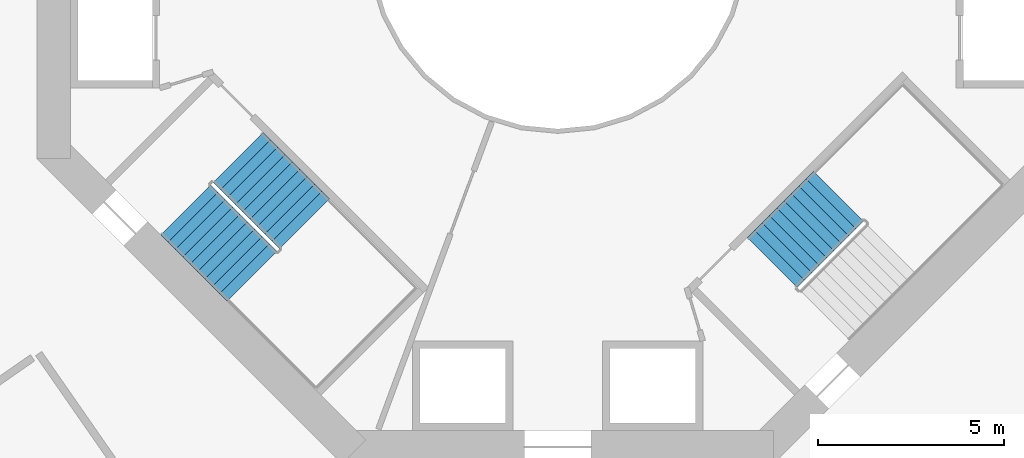
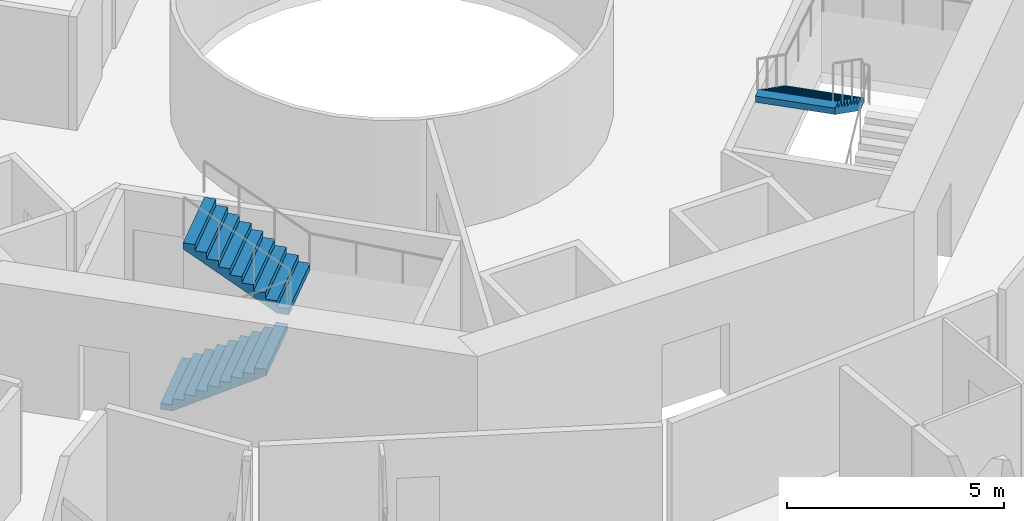
# One storey, part 24 of 26: 3 stair flights, 2 elements without a shape of their own.
"""IFC4 building model written with IfcOpenShell, lengths in metres."""

from ifc_helpers import new_model, si_unit, direction, frame, origin, place, context, subcontext, project, spatial, triangles, material, type_object, element, aggregate, save


model = new_model("IFC4")

# Units and contexts
model_context = context("Model", 3, precision=1e-05, world=origin(), true_north=direction((0.0, 1.0)))
body_context = subcontext(model_context, "Body", "Model", "MODEL_VIEW")
ifc_project = project(units=[si_unit("LENGTHUNIT", "METRE"), si_unit("AREAUNIT", "SQUARE_METRE"), si_unit("VOLUMEUNIT", "CUBIC_METRE"), si_unit("PLANEANGLEUNIT", "RADIAN"), si_unit("MASSUNIT", "GRAM", prefix="KILO")], contexts=[model_context])

# Site, building, storey
site_placement = place(None, origin())
site = spatial("IfcSite", under=ifc_project, at=site_placement, CompositionType="ELEMENT")
building_placement = place(site_placement, origin())
building = spatial("IfcBuilding", under=site, at=building_placement, Name="Verdalira Terraces Hotel", CompositionType="ELEMENT")
storey_placement = place(building_placement, frame((0.0, 0.0, 53.0)))
storey = spatial("IfcBuildingStorey", under=building, at=storey_placement, Name="L11", CompositionType="ELEMENT", Elevation=53.0)

# Stair, stair flights
ifc_material_1 = material(Name="Concrete C40", Category="concrete")
stair_type = type_object("IfcStairType", Name="Core stair 20 risers 1900 mm wide", PredefinedType="HALF_TURN_STAIR", material=ifc_material_1)
stair_1_placement = place(storey_placement, origin())
stair_1 = element("IfcStair", 1, at=stair_1_placement, inside=storey, type_object=stair_type, Name="L11 Exit stair ST2", PredefinedType="HALF_TURN_STAIR")
ifc_material_2 = material(Name="Concrete C40", Category="concrete")
stair_flight_type = type_object("IfcStairFlightType", Name="Core stair flight 20 risers 1900 mm wide", PredefinedType="STRAIGHT", material=ifc_material_2)
stair_flight_1_placement = place(storey_placement, frame((-10.005615, -7.177246, 0.0), z_axis=(0.0, 0.0, 1.0), x_axis=(0.707106781, -0.707106781, 0.0)))
stair_flight_1 = element("IfcStairFlight", 2, at=stair_flight_1_placement, type_object=stair_flight_type, Name="ST2 flight 1", NumberOfRisers=10, NumberOfTreads=9, PredefinedType="STRAIGHT", RiserHeight=0.175, TreadLength=0.28, context=body_context, shape_type="Tessellation", body=[
    triangles([(0.0, 0.949951, 0.0), (0.282715, 0.949951, 0.0), (2.52002, 0.949951, 1.398193), (0.0, -0.949951, 0.0), (0.282715, -0.949951, 0.0), (2.52002, -0.949951, 1.398193), (2.52002, 0.949951, 1.574951), (2.23999, 0.949951, 1.574951), (2.52002, -0.949951, 1.574951), (2.23999, -0.949951, 1.574951), (2.23999, 0.949951, 1.399902), (2.23999, -0.949951, 1.399902), (1.959961, 0.949951, 1.399902), (1.959961, -0.949951, 1.399902), (1.959961, 0.949951, 1.225098), (1.959961, -0.949951, 1.225098), (1.679932, 0.949951, 1.225098), (1.679932, 0.949951, 1.050049), (1.679932, -0.949951, 1.225098), (1.679932, -0.949951, 1.050049), (1.399902, 0.949951, 1.050049), (1.399902, 0.949951, 0.875), (1.399902, -0.949951, 1.050049), (1.399902, -0.949951, 0.875), (1.120117, 0.949951, 0.875), (1.120117, 0.949951, 0.699951), (1.120117, -0.949951, 0.875), (1.120117, -0.949951, 0.699951), (0.840088, 0.949951, 0.699951), (0.840088, 0.949951, 0.524902), (0.840088, -0.949951, 0.699951), (0.840088, -0.949951, 0.524902), (0.560059, 0.949951, 0.524902), (0.560059, 0.949951, 0.350098), (0.560059, -0.949951, 0.524902), (0.560059, -0.949951, 0.350098), (0.280029, 0.949951, 0.350098), (0.280029, 0.949951, 0.175049), (0.280029, -0.949951, 0.350098), (0.280029, -0.949951, 0.175049), (0.0, 0.949951, 0.175049), (0.0, -0.949951, 0.175049), (0.0, -0.890579, 0.0), (0.0, -0.890579, 0.175049), (0.0, -0.831207, 0.0), (0.0, -0.831207, 0.175049), (0.0, -0.771835, 0.0), (0.0, -0.771835, 0.175049), (0.0, -0.712463, 0.0), (0.0, -0.712463, 0.175049), (0.0, -0.653091, 0.0), (0.0, -0.653091, 0.175049), (0.0, -0.593719, 0.0), (0.0, -0.593719, 0.175049), (0.0, -0.534348, 0.0), (0.0, -0.534348, 0.175049), (0.0, -0.474976, 0.0), (0.0, -0.474976, 0.175049), (0.0, -0.415604, 0.0), (0.0, -0.415604, 0.175049), (0.0, -0.356232, 0.0), (0.0, -0.356232, 0.175049), (0.0, -0.29686, 0.0), (0.0, -0.29686, 0.175049), (0.0, -0.237488, 0.0), (0.0, -0.237488, 0.175049), (0.0, -0.178116, 0.0), (0.0, -0.178116, 0.175049), (0.0, -0.118744, 0.0), (0.0, -0.118744, 0.175049), (0.0, -0.059372, 0.0), (0.0, -0.059372, 0.175049), (0.0, 0.0, 0.0), (0.0, 0.0, 0.175049), (0.0, 0.059372, 0.0), (0.0, 0.059372, 0.175049), (0.0, 0.118744, 0.0), (0.0, 0.118744, 0.175049), (0.0, 0.178116, 0.0), (0.0, 0.178116, 0.175049), (0.0, 0.237488, 0.0), (0.0, 0.237488, 0.175049), (0.0, 0.29686, 0.0), (0.0, 0.29686, 0.175049), (0.0, 0.356232, 0.0), (0.0, 0.356232, 0.175049), (0.0, 0.415604, 0.0), (0.0, 0.415604, 0.175049), (0.0, 0.474976, 0.0), (0.0, 0.474976, 0.175049), (0.0, 0.534348, 0.0), (0.0, 0.534348, 0.175049), (0.0, 0.593719, 0.0), (0.0, 0.593719, 0.175049), (0.0, 0.653091, 0.0), (0.0, 0.653091, 0.175049), (0.0, 0.712463, 0.0), (0.0, 0.712463, 0.175049), (0.0, 0.771835, 0.0), (0.0, 0.771835, 0.175049), (0.0, 0.831207, 0.0), (0.0, 0.831207, 0.175049), (0.0, 0.890579, 0.0), (0.0, 0.890579, 0.175049), (2.52002, -0.890579, 1.574951), (2.52002, -0.831207, 1.574951), (2.52002, -0.771835, 1.574951), (2.52002, -0.712463, 1.574951), (2.52002, -0.653091, 1.574951), (2.52002, -0.593719, 1.574951), (2.52002, -0.534348, 1.574951), (2.52002, -0.474976, 1.574951), (2.52002, -0.415604, 1.574951), (2.52002, -0.356232, 1.574951), (2.52002, -0.29686, 1.574951), (2.52002, -0.237488, 1.574951), (2.52002, -0.178116, 1.574951), (2.52002, -0.118744, 1.574951), (2.52002, -0.059372, 1.574951), (2.52002, 0.0, 1.574951), (2.52002, 0.059372, 1.574951), (2.52002, 0.118744, 1.574951), (2.52002, 0.178116, 1.574951), (2.52002, 0.237488, 1.574951), (2.52002, 0.29686, 1.574951), (2.52002, 0.356232, 1.574951), (2.52002, 0.415604, 1.574951), (2.52002, 0.474976, 1.574951), (2.52002, 0.534348, 1.574951), (2.52002, 0.593719, 1.574951), (2.52002, 0.653091, 1.574951), (2.52002, 0.712463, 1.574951), (2.52002, 0.771835, 1.574951), (2.52002, 0.831207, 1.574951), (2.52002, 0.890579, 1.574951), (2.52002, -0.890579, 1.398193), (2.52002, -0.831207, 1.398193), (2.52002, -0.771835, 1.398193), (2.52002, -0.712463, 1.398193), (2.52002, -0.653091, 1.398193), (2.52002, -0.593719, 1.398193), (2.52002, -0.534348, 1.398193), (2.52002, -0.474976, 1.398193), (2.52002, -0.415604, 1.398193), (2.52002, -0.356232, 1.398193), (2.52002, -0.29686, 1.398193), (2.52002, -0.237488, 1.398193), (2.52002, -0.178116, 1.398193), (2.52002, -0.118744, 1.398193), (2.52002, -0.059372, 1.398193), (2.52002, 0.0, 1.398193), (2.52002, 0.059372, 1.398193), (2.52002, 0.118744, 1.398193), (2.52002, 0.178116, 1.398193), (2.52002, 0.237488, 1.398193), (2.52002, 0.29686, 1.398193), (2.52002, 0.356232, 1.398193), (2.52002, 0.415604, 1.398193), (2.52002, 0.474976, 1.398193), (2.52002, 0.534348, 1.398193), (2.52002, 0.593719, 1.398193), (2.52002, 0.653091, 1.398193), (2.52002, 0.712463, 1.398193), (2.52002, 0.771835, 1.398193), (2.52002, 0.831207, 1.398193), (2.52002, 0.890579, 1.398193)], [[1, 3, 2], [4, 5, 6], [3, 8, 7], [6, 9, 10], [3, 11, 8], [6, 10, 12], [3, 13, 11], [6, 12, 14], [3, 15, 13], [6, 14, 16], [15, 18, 17], [16, 19, 20], [3, 18, 15], [6, 16, 20], [18, 22, 21], [20, 23, 24], [3, 22, 18], [6, 20, 24], [22, 26, 25], [24, 27, 28], [3, 26, 22], [6, 24, 28], [26, 30, 29], [28, 31, 32], [3, 30, 26], [6, 28, 32], [1, 30, 3], [4, 6, 32], [30, 34, 33], [32, 35, 36], [34, 38, 37], [36, 39, 40], [30, 38, 34], [32, 36, 40], [1, 38, 30], [4, 32, 40], [38, 1, 41], [40, 42, 4], [4, 44, 43], [4, 42, 44], [43, 46, 45], [43, 44, 46], [45, 48, 47], [45, 46, 48], [47, 50, 49], [47, 48, 50], [49, 52, 51], [49, 50, 52], [51, 54, 53], [51, 52, 54], [53, 56, 55], [53, 54, 56], [55, 58, 57], [55, 56, 58], [57, 60, 59], [57, 58, 60], [59, 62, 61], [59, 60, 62], [61, 64, 63], [61, 62, 64], [63, 66, 65], [63, 64, 66], [65, 68, 67], [65, 66, 68], [67, 70, 69], [67, 68, 70], [69, 72, 71], [69, 70, 72], [71, 74, 73], [71, 72, 74], [73, 76, 75], [73, 74, 76], [75, 78, 77], [75, 76, 78], [77, 80, 79], [77, 78, 80], [79, 82, 81], [79, 80, 82], [81, 84, 83], [81, 82, 84], [83, 86, 85], [83, 84, 86], [85, 88, 87], [85, 86, 88], [87, 90, 89], [87, 88, 90], [89, 92, 91], [89, 90, 92], [91, 94, 93], [91, 92, 94], [93, 96, 95], [93, 94, 96], [95, 98, 97], [95, 96, 98], [97, 100, 99], [97, 98, 100], [99, 102, 101], [99, 100, 102], [101, 104, 103], [101, 102, 104], [103, 41, 1], [103, 104, 41], [42, 40, 44], [44, 40, 46], [46, 40, 48], [48, 40, 50], [50, 40, 52], [52, 40, 54], [54, 40, 56], [56, 40, 58], [58, 40, 60], [60, 40, 62], [62, 40, 64], [64, 40, 66], [66, 40, 68], [68, 40, 70], [70, 40, 72], [72, 40, 74], [74, 40, 76], [76, 40, 78], [78, 40, 80], [80, 40, 82], [82, 40, 84], [84, 40, 86], [86, 40, 88], [88, 40, 90], [90, 40, 92], [92, 40, 94], [94, 40, 96], [96, 40, 98], [98, 40, 100], [100, 40, 102], [102, 40, 104], [104, 40, 41], [41, 40, 38], [40, 37, 38], [40, 39, 37], [39, 34, 37], [39, 36, 34], [36, 33, 34], [36, 35, 33], [35, 30, 33], [35, 32, 30], [32, 29, 30], [32, 31, 29], [31, 26, 29], [31, 28, 26], [28, 25, 26], [28, 27, 25], [27, 22, 25], [27, 24, 22], [24, 21, 22], [24, 23, 21], [23, 18, 21], [23, 20, 18], [20, 17, 18], [20, 19, 17], [19, 15, 17], [19, 16, 15], [16, 13, 15], [16, 14, 13], [14, 11, 13], [14, 12, 11], [12, 8, 11], [12, 10, 8], [9, 105, 10], [105, 106, 10], [106, 107, 10], [107, 108, 10], [108, 109, 10], [109, 110, 10], [110, 111, 10], [111, 112, 10], [112, 113, 10], [113, 114, 10], [114, 115, 10], [115, 116, 10], [116, 117, 10], [117, 118, 10], [118, 119, 10], [119, 120, 10], [120, 121, 10], [121, 122, 10], [122, 123, 10], [123, 124, 10], [124, 125, 10], [125, 126, 10], [126, 127, 10], [127, 128, 10], [128, 129, 10], [129, 130, 10], [130, 131, 10], [131, 132, 10], [132, 133, 10], [133, 134, 10], [134, 135, 10], [135, 7, 10], [7, 8, 10], [9, 136, 105], [9, 6, 136], [105, 137, 106], [105, 136, 137], [106, 138, 107], [106, 137, 138], [107, 139, 108], [107, 138, 139], [108, 140, 109], [108, 139, 140], [109, 141, 110], [109, 140, 141], [110, 142, 111], [110, 141, 142], [111, 143, 112], [111, 142, 143], [112, 144, 113], [112, 143, 144], [113, 145, 114], [113, 144, 145], [114, 146, 115], [114, 145, 146], [115, 147, 116], [115, 146, 147], [116, 148, 117], [116, 147, 148], [117, 149, 118], [117, 148, 149], [118, 150, 119], [118, 149, 150], [119, 151, 120], [119, 150, 151], [120, 152, 121], [120, 151, 152], [121, 153, 122], [121, 152, 153], [122, 154, 123], [122, 153, 154], [123, 155, 124], [123, 154, 155], [124, 156, 125], [124, 155, 156], [125, 157, 126], [125, 156, 157], [126, 158, 127], [126, 157, 158], [127, 159, 128], [127, 158, 159], [128, 160, 129], [128, 159, 160], [129, 161, 130], [129, 160, 161], [130, 162, 131], [130, 161, 162], [131, 163, 132], [131, 162, 163], [132, 164, 133], [132, 163, 164], [133, 165, 134], [133, 164, 165], [134, 166, 135], [134, 165, 166], [135, 3, 7], [135, 166, 3], [6, 5, 136], [136, 5, 137], [137, 5, 138], [138, 5, 139], [139, 5, 140], [140, 5, 141], [141, 5, 142], [142, 5, 143], [143, 5, 144], [144, 5, 145], [145, 5, 146], [146, 5, 147], [147, 5, 148], [148, 5, 149], [149, 5, 150], [150, 5, 151], [151, 5, 152], [152, 5, 153], [153, 5, 154], [154, 5, 155], [155, 5, 156], [156, 5, 157], [157, 5, 158], [158, 5, 159], [159, 5, 160], [160, 5, 161], [161, 5, 162], [162, 5, 163], [163, 5, 164], [164, 5, 165], [165, 5, 166], [166, 5, 3], [3, 5, 2], [4, 43, 5], [43, 45, 5], [45, 47, 5], [47, 49, 5], [49, 51, 5], [51, 53, 5], [53, 55, 5], [55, 57, 5], [57, 59, 5], [59, 61, 5], [61, 63, 5], [63, 65, 5], [65, 67, 5], [67, 69, 5], [69, 71, 5], [71, 73, 5], [73, 75, 5], [75, 77, 5], [77, 79, 5], [79, 81, 5], [81, 83, 5], [83, 85, 5], [85, 87, 5], [87, 89, 5], [89, 91, 5], [91, 93, 5], [93, 95, 5], [95, 97, 5], [97, 99, 5], [99, 101, 5], [101, 103, 5], [103, 1, 5], [1, 2, 5]], closed=True),
])
stair_flight_2_placement = place(storey_placement, frame((-6.809326, -7.544922, 1.75), z_axis=(0.0, 0.0, 1.0), x_axis=(-0.707106781, 0.707106781, 0.0)))
stair_flight_2 = element("IfcStairFlight", 3, at=stair_flight_2_placement, type_object=stair_flight_type, Name="ST2 flight 2", NumberOfRisers=10, NumberOfTreads=9, PredefinedType="STRAIGHT", RiserHeight=0.175, TreadLength=0.28, context=body_context, shape_type="Tessellation", body=[
    triangles([(0.0, 0.949951, 0.0), (0.282715, 0.949951, 0.0), (2.52002, 0.949951, 1.398193), (0.0, -0.949951, 0.0), (0.282715, -0.949951, 0.0), (2.52002, -0.949951, 1.398193), (2.52002, 0.949951, 1.574951), (2.23999, 0.949951, 1.574951), (2.52002, -0.949951, 1.574951), (2.23999, -0.949951, 1.574951), (2.23999, 0.949951, 1.399902), (2.23999, -0.949951, 1.399902), (1.959961, 0.949951, 1.399902), (1.959961, -0.949951, 1.399902), (1.959961, 0.949951, 1.225098), (1.959961, -0.949951, 1.225098), (1.679932, 0.949951, 1.225098), (1.679932, 0.949951, 1.050049), (1.679932, -0.949951, 1.225098), (1.679932, -0.949951, 1.050049), (1.399902, 0.949951, 1.050049), (1.399902, 0.949951, 0.875), (1.399902, -0.949951, 1.050049), (1.399902, -0.949951, 0.875), (1.120117, 0.949951, 0.875), (1.120117, 0.949951, 0.699951), (1.120117, -0.949951, 0.875), (1.120117, -0.949951, 0.699951), (0.840088, 0.949951, 0.699951), (0.840088, 0.949951, 0.524902), (0.840088, -0.949951, 0.699951), (0.840088, -0.949951, 0.524902), (0.560059, 0.949951, 0.524902), (0.560059, 0.949951, 0.350098), (0.560059, -0.949951, 0.524902), (0.560059, -0.949951, 0.350098), (0.280029, 0.949951, 0.350098), (0.280029, 0.949951, 0.175049), (0.280029, -0.949951, 0.350098), (0.280029, -0.949951, 0.175049), (0.0, 0.949951, 0.175049), (0.0, -0.949951, 0.175049), (0.0, -0.890579, 0.0), (0.0, -0.890579, 0.175049), (0.0, -0.831207, 0.0), (0.0, -0.831207, 0.175049), (0.0, -0.771835, 0.0), (0.0, -0.771835, 0.175049), (0.0, -0.712463, 0.0), (0.0, -0.712463, 0.175049), (0.0, -0.653091, 0.0), (0.0, -0.653091, 0.175049), (0.0, -0.593719, 0.0), (0.0, -0.593719, 0.175049), (0.0, -0.534348, 0.0), (0.0, -0.534348, 0.175049), (0.0, -0.474976, 0.0), (0.0, -0.474976, 0.175049), (0.0, -0.415604, 0.0), (0.0, -0.415604, 0.175049), (0.0, -0.356232, 0.0), (0.0, -0.356232, 0.175049), (0.0, -0.29686, 0.0), (0.0, -0.29686, 0.175049), (0.0, -0.237488, 0.0), (0.0, -0.237488, 0.175049), (0.0, -0.178116, 0.0), (0.0, -0.178116, 0.175049), (0.0, -0.118744, 0.0), (0.0, -0.118744, 0.175049), (0.0, -0.059372, 0.0), (0.0, -0.059372, 0.175049), (0.0, 0.0, 0.0), (0.0, 0.0, 0.175049), (0.0, 0.059372, 0.0), (0.0, 0.059372, 0.175049), (0.0, 0.118744, 0.0), (0.0, 0.118744, 0.175049), (0.0, 0.178116, 0.0), (0.0, 0.178116, 0.175049), (0.0, 0.237488, 0.0), (0.0, 0.237488, 0.175049), (0.0, 0.29686, 0.0), (0.0, 0.29686, 0.175049), (0.0, 0.356232, 0.0), (0.0, 0.356232, 0.175049), (0.0, 0.415604, 0.0), (0.0, 0.415604, 0.175049), (0.0, 0.474976, 0.0), (0.0, 0.474976, 0.175049), (0.0, 0.534348, 0.0), (0.0, 0.534348, 0.175049), (0.0, 0.593719, 0.0), (0.0, 0.593719, 0.175049), (0.0, 0.653091, 0.0), (0.0, 0.653091, 0.175049), (0.0, 0.712463, 0.0), (0.0, 0.712463, 0.175049), (0.0, 0.771835, 0.0), (0.0, 0.771835, 0.175049), (0.0, 0.831207, 0.0), (0.0, 0.831207, 0.175049), (0.0, 0.890579, 0.0), (0.0, 0.890579, 0.175049), (2.52002, -0.890579, 1.574951), (2.52002, -0.831207, 1.574951), (2.52002, -0.771835, 1.574951), (2.52002, -0.712463, 1.574951), (2.52002, -0.653091, 1.574951), (2.52002, -0.593719, 1.574951), (2.52002, -0.534348, 1.574951), (2.52002, -0.474976, 1.574951), (2.52002, -0.415604, 1.574951), (2.52002, -0.356232, 1.574951), (2.52002, -0.29686, 1.574951), (2.52002, -0.237488, 1.574951), (2.52002, -0.178116, 1.574951), (2.52002, -0.118744, 1.574951), (2.52002, -0.059372, 1.574951), (2.52002, 0.0, 1.574951), (2.52002, 0.059372, 1.574951), (2.52002, 0.118744, 1.574951), (2.52002, 0.178116, 1.574951), (2.52002, 0.237488, 1.574951), (2.52002, 0.29686, 1.574951), (2.52002, 0.356232, 1.574951), (2.52002, 0.415604, 1.574951), (2.52002, 0.474976, 1.574951), (2.52002, 0.534348, 1.574951), (2.52002, 0.593719, 1.574951), (2.52002, 0.653091, 1.574951), (2.52002, 0.712463, 1.574951), (2.52002, 0.771835, 1.574951), (2.52002, 0.831207, 1.574951), (2.52002, 0.890579, 1.574951), (2.52002, -0.890579, 1.398193), (2.52002, -0.831207, 1.398193), (2.52002, -0.771835, 1.398193), (2.52002, -0.712463, 1.398193), (2.52002, -0.653091, 1.398193), (2.52002, -0.593719, 1.398193), (2.52002, -0.534348, 1.398193), (2.52002, -0.474976, 1.398193), (2.52002, -0.415604, 1.398193), (2.52002, -0.356232, 1.398193), (2.52002, -0.29686, 1.398193), (2.52002, -0.237488, 1.398193), (2.52002, -0.178116, 1.398193), (2.52002, -0.118744, 1.398193), (2.52002, -0.059372, 1.398193), (2.52002, 0.0, 1.398193), (2.52002, 0.059372, 1.398193), (2.52002, 0.118744, 1.398193), (2.52002, 0.178116, 1.398193), (2.52002, 0.237488, 1.398193), (2.52002, 0.29686, 1.398193), (2.52002, 0.356232, 1.398193), (2.52002, 0.415604, 1.398193), (2.52002, 0.474976, 1.398193), (2.52002, 0.534348, 1.398193), (2.52002, 0.593719, 1.398193), (2.52002, 0.653091, 1.398193), (2.52002, 0.712463, 1.398193), (2.52002, 0.771835, 1.398193), (2.52002, 0.831207, 1.398193), (2.52002, 0.890579, 1.398193)], [[1, 3, 2], [4, 5, 6], [3, 8, 7], [6, 9, 10], [3, 11, 8], [6, 10, 12], [3, 13, 11], [6, 12, 14], [3, 15, 13], [6, 14, 16], [15, 18, 17], [16, 19, 20], [3, 18, 15], [6, 16, 20], [18, 22, 21], [20, 23, 24], [3, 22, 18], [6, 20, 24], [22, 26, 25], [24, 27, 28], [3, 26, 22], [6, 24, 28], [26, 30, 29], [28, 31, 32], [3, 30, 26], [6, 28, 32], [1, 30, 3], [4, 6, 32], [30, 34, 33], [32, 35, 36], [34, 38, 37], [36, 39, 40], [30, 38, 34], [32, 36, 40], [1, 38, 30], [4, 32, 40], [38, 1, 41], [40, 42, 4], [4, 44, 43], [4, 42, 44], [43, 46, 45], [43, 44, 46], [45, 48, 47], [45, 46, 48], [47, 50, 49], [47, 48, 50], [49, 52, 51], [49, 50, 52], [51, 54, 53], [51, 52, 54], [53, 56, 55], [53, 54, 56], [55, 58, 57], [55, 56, 58], [57, 60, 59], [57, 58, 60], [59, 62, 61], [59, 60, 62], [61, 64, 63], [61, 62, 64], [63, 66, 65], [63, 64, 66], [65, 68, 67], [65, 66, 68], [67, 70, 69], [67, 68, 70], [69, 72, 71], [69, 70, 72], [71, 74, 73], [71, 72, 74], [73, 76, 75], [73, 74, 76], [75, 78, 77], [75, 76, 78], [77, 80, 79], [77, 78, 80], [79, 82, 81], [79, 80, 82], [81, 84, 83], [81, 82, 84], [83, 86, 85], [83, 84, 86], [85, 88, 87], [85, 86, 88], [87, 90, 89], [87, 88, 90], [89, 92, 91], [89, 90, 92], [91, 94, 93], [91, 92, 94], [93, 96, 95], [93, 94, 96], [95, 98, 97], [95, 96, 98], [97, 100, 99], [97, 98, 100], [99, 102, 101], [99, 100, 102], [101, 104, 103], [101, 102, 104], [103, 41, 1], [103, 104, 41], [42, 40, 44], [44, 40, 46], [46, 40, 48], [48, 40, 50], [50, 40, 52], [52, 40, 54], [54, 40, 56], [56, 40, 58], [58, 40, 60], [60, 40, 62], [62, 40, 64], [64, 40, 66], [66, 40, 68], [68, 40, 70], [70, 40, 72], [72, 40, 74], [74, 40, 76], [76, 40, 78], [78, 40, 80], [80, 40, 82], [82, 40, 84], [84, 40, 86], [86, 40, 88], [88, 40, 90], [90, 40, 92], [92, 40, 94], [94, 40, 96], [96, 40, 98], [98, 40, 100], [100, 40, 102], [102, 40, 104], [104, 40, 41], [41, 40, 38], [40, 37, 38], [40, 39, 37], [39, 34, 37], [39, 36, 34], [36, 33, 34], [36, 35, 33], [35, 30, 33], [35, 32, 30], [32, 29, 30], [32, 31, 29], [31, 26, 29], [31, 28, 26], [28, 25, 26], [28, 27, 25], [27, 22, 25], [27, 24, 22], [24, 21, 22], [24, 23, 21], [23, 18, 21], [23, 20, 18], [20, 17, 18], [20, 19, 17], [19, 15, 17], [19, 16, 15], [16, 13, 15], [16, 14, 13], [14, 11, 13], [14, 12, 11], [12, 8, 11], [12, 10, 8], [9, 105, 10], [105, 106, 10], [106, 107, 10], [107, 108, 10], [108, 109, 10], [109, 110, 10], [110, 111, 10], [111, 112, 10], [112, 113, 10], [113, 114, 10], [114, 115, 10], [115, 116, 10], [116, 117, 10], [117, 118, 10], [118, 119, 10], [119, 120, 10], [120, 121, 10], [121, 122, 10], [122, 123, 10], [123, 124, 10], [124, 125, 10], [125, 126, 10], [126, 127, 10], [127, 128, 10], [128, 129, 10], [129, 130, 10], [130, 131, 10], [131, 132, 10], [132, 133, 10], [133, 134, 10], [134, 135, 10], [135, 7, 10], [7, 8, 10], [9, 136, 105], [9, 6, 136], [105, 137, 106], [105, 136, 137], [106, 138, 107], [106, 137, 138], [107, 139, 108], [107, 138, 139], [108, 140, 109], [108, 139, 140], [109, 141, 110], [109, 140, 141], [110, 142, 111], [110, 141, 142], [111, 143, 112], [111, 142, 143], [112, 144, 113], [112, 143, 144], [113, 145, 114], [113, 144, 145], [114, 146, 115], [114, 145, 146], [115, 147, 116], [115, 146, 147], [116, 148, 117], [116, 147, 148], [117, 149, 118], [117, 148, 149], [118, 150, 119], [118, 149, 150], [119, 151, 120], [119, 150, 151], [120, 152, 121], [120, 151, 152], [121, 153, 122], [121, 152, 153], [122, 154, 123], [122, 153, 154], [123, 155, 124], [123, 154, 155], [124, 156, 125], [124, 155, 156], [125, 157, 126], [125, 156, 157], [126, 158, 127], [126, 157, 158], [127, 159, 128], [127, 158, 159], [128, 160, 129], [128, 159, 160], [129, 161, 130], [129, 160, 161], [130, 162, 131], [130, 161, 162], [131, 163, 132], [131, 162, 163], [132, 164, 133], [132, 163, 164], [133, 165, 134], [133, 164, 165], [134, 166, 135], [134, 165, 166], [135, 3, 7], [135, 166, 3], [6, 5, 136], [136, 5, 137], [137, 5, 138], [138, 5, 139], [139, 5, 140], [140, 5, 141], [141, 5, 142], [142, 5, 143], [143, 5, 144], [144, 5, 145], [145, 5, 146], [146, 5, 147], [147, 5, 148], [148, 5, 149], [149, 5, 150], [150, 5, 151], [151, 5, 152], [152, 5, 153], [153, 5, 154], [154, 5, 155], [155, 5, 156], [156, 5, 157], [157, 5, 158], [158, 5, 159], [159, 5, 160], [160, 5, 161], [161, 5, 162], [162, 5, 163], [163, 5, 164], [164, 5, 165], [165, 5, 166], [166, 5, 3], [3, 5, 2], [4, 43, 5], [43, 45, 5], [45, 47, 5], [47, 49, 5], [49, 51, 5], [51, 53, 5], [53, 55, 5], [55, 57, 5], [57, 59, 5], [59, 61, 5], [61, 63, 5], [63, 65, 5], [65, 67, 5], [67, 69, 5], [69, 71, 5], [71, 73, 5], [73, 75, 5], [75, 77, 5], [77, 79, 5], [79, 81, 5], [81, 83, 5], [83, 85, 5], [85, 87, 5], [87, 89, 5], [89, 91, 5], [91, 93, 5], [93, 95, 5], [95, 97, 5], [97, 99, 5], [99, 101, 5], [101, 103, 5], [103, 1, 5], [1, 2, 5]], closed=True),
])
aggregate(stair_1, [stair_flight_1, stair_flight_2])

# Stair, stair flight
stair_2_placement = place(storey_placement, origin())
stair_2 = element("IfcStair", 4, at=stair_2_placement, inside=storey, type_object=stair_type, Name="L11 Exit stair ST3", PredefinedType="HALF_TURN_STAIR")
stair_flight_3_placement = place(storey_placement, frame((7.544922, -6.809326, 1.75), z_axis=(0.0, 0.0, 1.0), x_axis=(-0.707106781, -0.707106781, 0.0)))
stair_flight_3 = element("IfcStairFlight", 5, at=stair_flight_3_placement, type_object=stair_flight_type, Name="ST3 flight 2", NumberOfRisers=10, NumberOfTreads=9, PredefinedType="STRAIGHT", RiserHeight=0.175, TreadLength=0.28, context=body_context, shape_type="Tessellation", body=[
    triangles([(0.0, 0.949951, 0.0), (0.282715, 0.949951, 0.0), (2.52002, 0.949951, 1.398193), (0.0, -0.949951, 0.0), (0.282715, -0.949951, 0.0), (2.52002, -0.949951, 1.398193), (2.52002, 0.949951, 1.574951), (2.23999, 0.949951, 1.574951), (2.52002, -0.949951, 1.574951), (2.23999, -0.949951, 1.574951), (2.23999, 0.949951, 1.399902), (2.23999, -0.949951, 1.399902), (1.959961, 0.949951, 1.399902), (1.959961, -0.949951, 1.399902), (1.959961, 0.949951, 1.225098), (1.959961, -0.949951, 1.225098), (1.679932, 0.949951, 1.225098), (1.679932, 0.949951, 1.050049), (1.679932, -0.949951, 1.225098), (1.679932, -0.949951, 1.050049), (1.399902, 0.949951, 1.050049), (1.399902, 0.949951, 0.875), (1.399902, -0.949951, 1.050049), (1.399902, -0.949951, 0.875), (1.120117, 0.949951, 0.875), (1.120117, 0.949951, 0.699951), (1.120117, -0.949951, 0.875), (1.120117, -0.949951, 0.699951), (0.840088, 0.949951, 0.699951), (0.840088, 0.949951, 0.524902), (0.840088, -0.949951, 0.699951), (0.840088, -0.949951, 0.524902), (0.560059, 0.949951, 0.524902), (0.560059, 0.949951, 0.350098), (0.560059, -0.949951, 0.524902), (0.560059, -0.949951, 0.350098), (0.280029, 0.949951, 0.350098), (0.280029, 0.949951, 0.175049), (0.280029, -0.949951, 0.350098), (0.280029, -0.949951, 0.175049), (0.0, 0.949951, 0.175049), (0.0, -0.949951, 0.175049), (0.0, -0.890579, 0.0), (0.0, -0.890579, 0.175049), (0.0, -0.831207, 0.0), (0.0, -0.831207, 0.175049), (0.0, -0.771835, 0.0), (0.0, -0.771835, 0.175049), (0.0, -0.712463, 0.0), (0.0, -0.712463, 0.175049), (0.0, -0.653091, 0.0), (0.0, -0.653091, 0.175049), (0.0, -0.593719, 0.0), (0.0, -0.593719, 0.175049), (0.0, -0.534348, 0.0), (0.0, -0.534348, 0.175049), (0.0, -0.474976, 0.0), (0.0, -0.474976, 0.175049), (0.0, -0.415604, 0.0), (0.0, -0.415604, 0.175049), (0.0, -0.356232, 0.0), (0.0, -0.356232, 0.175049), (0.0, -0.29686, 0.0), (0.0, -0.29686, 0.175049), (0.0, -0.237488, 0.0), (0.0, -0.237488, 0.175049), (0.0, -0.178116, 0.0), (0.0, -0.178116, 0.175049), (0.0, -0.118744, 0.0), (0.0, -0.118744, 0.175049), (0.0, -0.059372, 0.0), (0.0, -0.059372, 0.175049), (0.0, 0.0, 0.0), (0.0, 0.0, 0.175049), (0.0, 0.059372, 0.0), (0.0, 0.059372, 0.175049), (0.0, 0.118744, 0.0), (0.0, 0.118744, 0.175049), (0.0, 0.178116, 0.0), (0.0, 0.178116, 0.175049), (0.0, 0.237488, 0.0), (0.0, 0.237488, 0.175049), (0.0, 0.29686, 0.0), (0.0, 0.29686, 0.175049), (0.0, 0.356232, 0.0), (0.0, 0.356232, 0.175049), (0.0, 0.415604, 0.0), (0.0, 0.415604, 0.175049), (0.0, 0.474976, 0.0), (0.0, 0.474976, 0.175049), (0.0, 0.534348, 0.0), (0.0, 0.534348, 0.175049), (0.0, 0.593719, 0.0), (0.0, 0.593719, 0.175049), (0.0, 0.653091, 0.0), (0.0, 0.653091, 0.175049), (0.0, 0.712463, 0.0), (0.0, 0.712463, 0.175049), (0.0, 0.771835, 0.0), (0.0, 0.771835, 0.175049), (0.0, 0.831207, 0.0), (0.0, 0.831207, 0.175049), (0.0, 0.890579, 0.0), (0.0, 0.890579, 0.175049), (2.52002, -0.890579, 1.574951), (2.52002, -0.831207, 1.574951), (2.52002, -0.771835, 1.574951), (2.52002, -0.712463, 1.574951), (2.52002, -0.653091, 1.574951), (2.52002, -0.593719, 1.574951), (2.52002, -0.534348, 1.574951), (2.52002, -0.474976, 1.574951), (2.52002, -0.415604, 1.574951), (2.52002, -0.356232, 1.574951), (2.52002, -0.29686, 1.574951), (2.52002, -0.237488, 1.574951), (2.52002, -0.178116, 1.574951), (2.52002, -0.118744, 1.574951), (2.52002, -0.059372, 1.574951), (2.52002, 0.0, 1.574951), (2.52002, 0.059372, 1.574951), (2.52002, 0.118744, 1.574951), (2.52002, 0.178116, 1.574951), (2.52002, 0.237488, 1.574951), (2.52002, 0.29686, 1.574951), (2.52002, 0.356232, 1.574951), (2.52002, 0.415604, 1.574951), (2.52002, 0.474976, 1.574951), (2.52002, 0.534348, 1.574951), (2.52002, 0.593719, 1.574951), (2.52002, 0.653091, 1.574951), (2.52002, 0.712463, 1.574951), (2.52002, 0.771835, 1.574951), (2.52002, 0.831207, 1.574951), (2.52002, 0.890579, 1.574951), (2.52002, -0.890579, 1.398193), (2.52002, -0.831207, 1.398193), (2.52002, -0.771835, 1.398193), (2.52002, -0.712463, 1.398193), (2.52002, -0.653091, 1.398193), (2.52002, -0.593719, 1.398193), (2.52002, -0.534348, 1.398193), (2.52002, -0.474976, 1.398193), (2.52002, -0.415604, 1.398193), (2.52002, -0.356232, 1.398193), (2.52002, -0.29686, 1.398193), (2.52002, -0.237488, 1.398193), (2.52002, -0.178116, 1.398193), (2.52002, -0.118744, 1.398193), (2.52002, -0.059372, 1.398193), (2.52002, 0.0, 1.398193), (2.52002, 0.059372, 1.398193), (2.52002, 0.118744, 1.398193), (2.52002, 0.178116, 1.398193), (2.52002, 0.237488, 1.398193), (2.52002, 0.29686, 1.398193), (2.52002, 0.356232, 1.398193), (2.52002, 0.415604, 1.398193), (2.52002, 0.474976, 1.398193), (2.52002, 0.534348, 1.398193), (2.52002, 0.593719, 1.398193), (2.52002, 0.653091, 1.398193), (2.52002, 0.712463, 1.398193), (2.52002, 0.771835, 1.398193), (2.52002, 0.831207, 1.398193), (2.52002, 0.890579, 1.398193)], [[1, 3, 2], [4, 5, 6], [3, 8, 7], [6, 9, 10], [3, 11, 8], [6, 10, 12], [3, 13, 11], [6, 12, 14], [3, 15, 13], [6, 14, 16], [15, 18, 17], [16, 19, 20], [3, 18, 15], [6, 16, 20], [18, 22, 21], [20, 23, 24], [3, 22, 18], [6, 20, 24], [22, 26, 25], [24, 27, 28], [3, 26, 22], [6, 24, 28], [26, 30, 29], [28, 31, 32], [3, 30, 26], [6, 28, 32], [1, 30, 3], [4, 6, 32], [30, 34, 33], [32, 35, 36], [34, 38, 37], [36, 39, 40], [30, 38, 34], [32, 36, 40], [1, 38, 30], [4, 32, 40], [38, 1, 41], [40, 42, 4], [4, 44, 43], [4, 42, 44], [43, 46, 45], [43, 44, 46], [45, 48, 47], [45, 46, 48], [47, 50, 49], [47, 48, 50], [49, 52, 51], [49, 50, 52], [51, 54, 53], [51, 52, 54], [53, 56, 55], [53, 54, 56], [55, 58, 57], [55, 56, 58], [57, 60, 59], [57, 58, 60], [59, 62, 61], [59, 60, 62], [61, 64, 63], [61, 62, 64], [63, 66, 65], [63, 64, 66], [65, 68, 67], [65, 66, 68], [67, 70, 69], [67, 68, 70], [69, 72, 71], [69, 70, 72], [71, 74, 73], [71, 72, 74], [73, 76, 75], [73, 74, 76], [75, 78, 77], [75, 76, 78], [77, 80, 79], [77, 78, 80], [79, 82, 81], [79, 80, 82], [81, 84, 83], [81, 82, 84], [83, 86, 85], [83, 84, 86], [85, 88, 87], [85, 86, 88], [87, 90, 89], [87, 88, 90], [89, 92, 91], [89, 90, 92], [91, 94, 93], [91, 92, 94], [93, 96, 95], [93, 94, 96], [95, 98, 97], [95, 96, 98], [97, 100, 99], [97, 98, 100], [99, 102, 101], [99, 100, 102], [101, 104, 103], [101, 102, 104], [103, 41, 1], [103, 104, 41], [42, 40, 44], [44, 40, 46], [46, 40, 48], [48, 40, 50], [50, 40, 52], [52, 40, 54], [54, 40, 56], [56, 40, 58], [58, 40, 60], [60, 40, 62], [62, 40, 64], [64, 40, 66], [66, 40, 68], [68, 40, 70], [70, 40, 72], [72, 40, 74], [74, 40, 76], [76, 40, 78], [78, 40, 80], [80, 40, 82], [82, 40, 84], [84, 40, 86], [86, 40, 88], [88, 40, 90], [90, 40, 92], [92, 40, 94], [94, 40, 96], [96, 40, 98], [98, 40, 100], [100, 40, 102], [102, 40, 104], [104, 40, 41], [41, 40, 38], [40, 37, 38], [40, 39, 37], [39, 34, 37], [39, 36, 34], [36, 33, 34], [36, 35, 33], [35, 30, 33], [35, 32, 30], [32, 29, 30], [32, 31, 29], [31, 26, 29], [31, 28, 26], [28, 25, 26], [28, 27, 25], [27, 22, 25], [27, 24, 22], [24, 21, 22], [24, 23, 21], [23, 18, 21], [23, 20, 18], [20, 17, 18], [20, 19, 17], [19, 15, 17], [19, 16, 15], [16, 13, 15], [16, 14, 13], [14, 11, 13], [14, 12, 11], [12, 8, 11], [12, 10, 8], [9, 105, 10], [105, 106, 10], [106, 107, 10], [107, 108, 10], [108, 109, 10], [109, 110, 10], [110, 111, 10], [111, 112, 10], [112, 113, 10], [113, 114, 10], [114, 115, 10], [115, 116, 10], [116, 117, 10], [117, 118, 10], [118, 119, 10], [119, 120, 10], [120, 121, 10], [121, 122, 10], [122, 123, 10], [123, 124, 10], [124, 125, 10], [125, 126, 10], [126, 127, 10], [127, 128, 10], [128, 129, 10], [129, 130, 10], [130, 131, 10], [131, 132, 10], [132, 133, 10], [133, 134, 10], [134, 135, 10], [135, 7, 10], [7, 8, 10], [9, 136, 105], [9, 6, 136], [105, 137, 106], [105, 136, 137], [106, 138, 107], [106, 137, 138], [107, 139, 108], [107, 138, 139], [108, 140, 109], [108, 139, 140], [109, 141, 110], [109, 140, 141], [110, 142, 111], [110, 141, 142], [111, 143, 112], [111, 142, 143], [112, 144, 113], [112, 143, 144], [113, 145, 114], [113, 144, 145], [114, 146, 115], [114, 145, 146], [115, 147, 116], [115, 146, 147], [116, 148, 117], [116, 147, 148], [117, 149, 118], [117, 148, 149], [118, 150, 119], [118, 149, 150], [119, 151, 120], [119, 150, 151], [120, 152, 121], [120, 151, 152], [121, 153, 122], [121, 152, 153], [122, 154, 123], [122, 153, 154], [123, 155, 124], [123, 154, 155], [124, 156, 125], [124, 155, 156], [125, 157, 126], [125, 156, 157], [126, 158, 127], [126, 157, 158], [127, 159, 128], [127, 158, 159], [128, 160, 129], [128, 159, 160], [129, 161, 130], [129, 160, 161], [130, 162, 131], [130, 161, 162], [131, 163, 132], [131, 162, 163], [132, 164, 133], [132, 163, 164], [133, 165, 134], [133, 164, 165], [134, 166, 135], [134, 165, 166], [135, 3, 7], [135, 166, 3], [6, 5, 136], [136, 5, 137], [137, 5, 138], [138, 5, 139], [139, 5, 140], [140, 5, 141], [141, 5, 142], [142, 5, 143], [143, 5, 144], [144, 5, 145], [145, 5, 146], [146, 5, 147], [147, 5, 148], [148, 5, 149], [149, 5, 150], [150, 5, 151], [151, 5, 152], [152, 5, 153], [153, 5, 154], [154, 5, 155], [155, 5, 156], [156, 5, 157], [157, 5, 158], [158, 5, 159], [159, 5, 160], [160, 5, 161], [161, 5, 162], [162, 5, 163], [163, 5, 164], [164, 5, 165], [165, 5, 166], [166, 5, 3], [3, 5, 2], [4, 43, 5], [43, 45, 5], [45, 47, 5], [47, 49, 5], [49, 51, 5], [51, 53, 5], [53, 55, 5], [55, 57, 5], [57, 59, 5], [59, 61, 5], [61, 63, 5], [63, 65, 5], [65, 67, 5], [67, 69, 5], [69, 71, 5], [71, 73, 5], [73, 75, 5], [75, 77, 5], [77, 79, 5], [79, 81, 5], [81, 83, 5], [83, 85, 5], [85, 87, 5], [87, 89, 5], [89, 91, 5], [91, 93, 5], [93, 95, 5], [95, 97, 5], [97, 99, 5], [99, 101, 5], [101, 103, 5], [103, 1, 5], [1, 2, 5]], closed=True),
])
aggregate(stair_2, [stair_flight_3])

save(model, "model.ifc")
